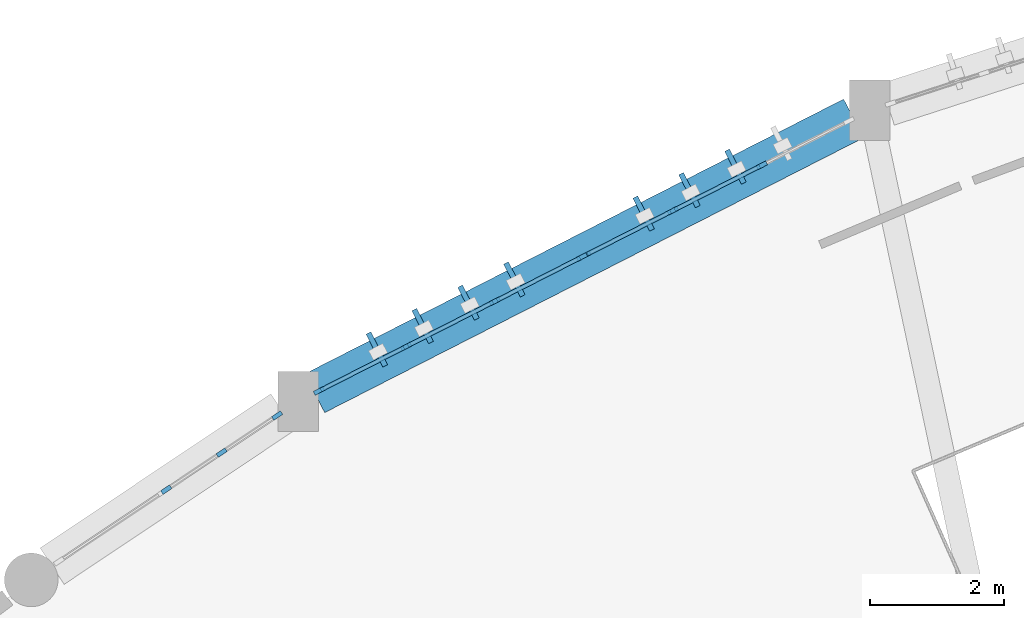
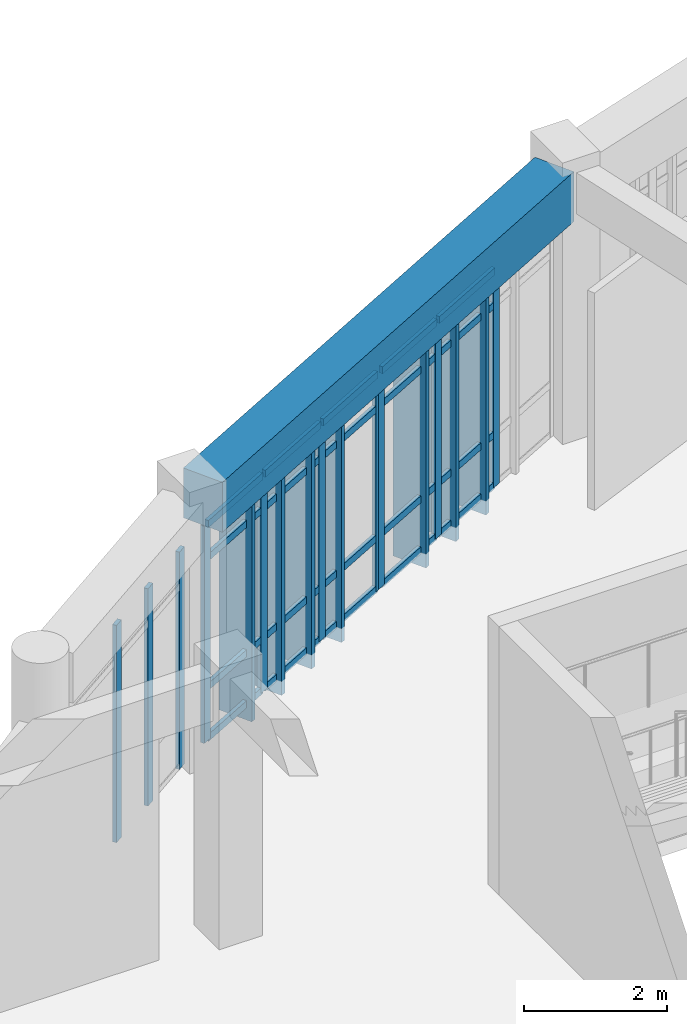
# One storey, part 10 of 65: 37 members, 1 beam, 3 elements without a shape of their own.
"""IFC4 building model written with IfcOpenShell, lengths in metres."""

from ifc_helpers import new_model, si_unit, direction, frame, origin, origin_2d, place, context, subcontext, project, spatial, rectangle, extrude, material, layer, layer_set, material_profile, profile_set, type_object, element, aggregate, save


model = new_model("IFC4")

# Units and contexts
model_context = context("Model", 3, precision=1e-05, world=origin(), true_north=direction((0.0, 1.0)))
body_context = subcontext(model_context, "Body", "Model", "MODEL_VIEW")
ifc_project = project(units=[si_unit("LENGTHUNIT", "METRE"), si_unit("AREAUNIT", "SQUARE_METRE"), si_unit("VOLUMEUNIT", "CUBIC_METRE"), si_unit("PLANEANGLEUNIT", "RADIAN"), si_unit("MASSUNIT", "GRAM", prefix="KILO")], contexts=[model_context])

# Site, building, storey
site_placement = place(None, origin())
site = spatial("IfcSite", under=ifc_project, at=site_placement, CompositionType="ELEMENT")
building_placement = place(site_placement, origin())
building = spatial("IfcBuilding", under=site, at=building_placement, Name="Miralva Faculty of Natural Sciences", CompositionType="ELEMENT")
storey_placement = place(building_placement, frame((0.0, 0.0, 10.199951171875)))
storey = spatial("IfcBuildingStorey", under=building, at=storey_placement, Name="L02", CompositionType="ELEMENT", Elevation=10.199951171875)

# Beam
ifc_material_1 = material(Name="Concrete C40/50", Category="concrete")
ifc_material_profile_1 = material_profile(ifc_material_1, rectangle(XDim=0.64990234375, YDim=0.85009765625, at=origin_2d()), Name="RC 650x850")
ifc_profile_set_1 = profile_set([ifc_material_profile_1], Name="Concrete C40/50")
beam_type = type_object("IfcBeamType", Name="BM-SP03", PredefinedType="SPANDREL", material=ifc_profile_set_1)
beam_placement = place(storey_placement, frame((66.4140625, 35.234619140625, 4.135009765625), z_axis=(-0.890849035396, -0.454299456454, 0.0), x_axis=(0.454299456454, -0.890849035396, 0.0)))
element("IfcBeam", 1, at=beam_placement, inside=storey, type_object=beam_type, Name="Curved chord girder SHOUT L02-8", PredefinedType="SPANDREL", context=body_context, shape_type="SweptSolid", body=[
    extrude(rectangle(XDim=0.64990234375, YDim=0.85009765625, at=origin_2d()), origin(), (0.0, 0.0, 1.0), 9.02294921875),
])

# Curtain wall, members
ifc_material_2 = material(Name="Laminated solar-control glass", Category="glass")
ifc_layer = layer(ifc_material_2, 0.179931640625, Name="CW-ARC-L01")
ifc_layer_set = layer_set([ifc_layer], Name="Laminated solar-control glass")
curtain_wall_type = type_object("IfcCurtainWallType", Name="CW-ARC-L01", PredefinedType="USERDEFINED", material=ifc_layer_set)
curtain_wall_1_placement = place(storey_placement, origin())
curtain_wall_1 = element("IfcCurtainWall", 2, at=curtain_wall_1_placement, inside=storey, type_object=curtain_wall_type, Name="Curtain wall CW-02 L02-78", ObjectType="UNITISED CURTAIN WALL", PredefinedType="USERDEFINED")
ifc_material_3 = material(Name="Anodised aluminium", Category="aluminium")
ifc_material_profile_2 = material_profile(ifc_material_3, rectangle(XDim=0.06494140625, YDim=0.159912109375, at=origin_2d()), Name="MULLION 65x160")
ifc_profile_set_2 = profile_set([ifc_material_profile_2], Name="Anodised aluminium")
member_type_1 = type_object("IfcMemberType", Name="CW-M02", PredefinedType="MULLION", material=ifc_profile_set_2)
member_1_placement = place(storey_placement, frame((56.1591796875, 29.69580078125, 0.0), z_axis=(0.0, 0.0, 1.0), x_axis=(-0.55558704736, 0.831458377074, 0.0)))
member_1 = element("IfcMember", 3, at=member_1_placement, type_object=member_type_1, Name="CW-02 mullion 1", PredefinedType="MULLION", context=body_context, shape_type="SweptSolid", body=[
    extrude(rectangle(XDim=0.06494140625, YDim=0.159912109375, at=origin_2d()), origin(), (0.0, 0.0, 1.0), 3.705078125),
])
member_2_placement = place(storey_placement, frame((56.986328125, 30.24853515625, 0.0), z_axis=(0.0, 0.0, 1.0), x_axis=(-0.55558704736, 0.831458377074, 0.0)))
member_2 = element("IfcMember", 4, at=member_2_placement, type_object=member_type_1, Name="CW-02 mullion 2", PredefinedType="MULLION", context=body_context, shape_type="SweptSolid", body=[
    extrude(rectangle(XDim=0.06494140625, YDim=0.159912109375, at=origin_2d()), origin(), (0.0, 0.0, 1.0), 3.705078125),
])
member_3_placement = place(storey_placement, frame((57.813720703125, 30.80126953125, 0.0), z_axis=(0.0, 0.0, 1.0), x_axis=(-0.55558704736, 0.831458377074, 0.0)))
member_3 = element("IfcMember", 5, at=member_3_placement, type_object=member_type_1, Name="CW-02 mullion 3", PredefinedType="MULLION", context=body_context, shape_type="SweptSolid", body=[
    extrude(rectangle(XDim=0.06494140625, YDim=0.159912109375, at=origin_2d()), origin(), (0.0, 0.0, 1.0), 3.705078125),
])
aggregate(curtain_wall_1, [member_1, member_2, member_3])

curtain_wall_2_placement = place(storey_placement, origin())
curtain_wall_2 = element("IfcCurtainWall", 6, at=curtain_wall_2_placement, inside=storey, type_object=curtain_wall_type, Name="Curtain wall CW-02 L02-79", ObjectType="UNITISED CURTAIN WALL", PredefinedType="USERDEFINED")
member_4_placement = place(storey_placement, frame((58.437255859375, 31.1689453125, 0.0), z_axis=(0.0, 0.0, 1.0), x_axis=(-0.454000162854, 0.89100160052, 0.0)))
member_4 = element("IfcMember", 7, at=member_4_placement, type_object=member_type_1, Name="CW-02 mullion 1", PredefinedType="MULLION", context=body_context, shape_type="SweptSolid", body=[
    extrude(rectangle(XDim=0.06494140625, YDim=0.159912109375, at=origin_2d()), origin(), (0.0, 0.0, 1.0), 3.705078125),
])
member_5_placement = place(storey_placement, frame((59.736083984375, 31.830810546875, 0.0), z_axis=(0.0, 0.0, 1.0), x_axis=(-0.454000162854, 0.89100160052, 0.0)))
member_5 = element("IfcMember", 8, at=member_5_placement, type_object=member_type_1, Name="CW-02 mullion 2", PredefinedType="MULLION", context=body_context, shape_type="SweptSolid", body=[
    extrude(rectangle(XDim=0.06494140625, YDim=0.159912109375, at=origin_2d()), origin(), (0.0, 0.0, 1.0), 3.705078125),
])
member_6_placement = place(storey_placement, frame((61.06396484375, 32.50732421875, 0.0), z_axis=(0.0, 0.0, 1.0), x_axis=(-0.454000162854, 0.89100160052, 0.0)))
member_6 = element("IfcMember", 9, at=member_6_placement, type_object=member_type_1, Name="CW-02 mullion 3", PredefinedType="MULLION", context=body_context, shape_type="SweptSolid", body=[
    extrude(rectangle(XDim=0.06494140625, YDim=0.159912109375, at=origin_2d()), origin(), (0.0, 0.0, 1.0), 3.705078125),
])
member_7_placement = place(storey_placement, frame((62.363037109375, 33.169189453125, 0.0), z_axis=(0.0, 0.0, 1.0), x_axis=(-0.454000162854, 0.89100160052, 0.0)))
member_7 = element("IfcMember", 10, at=member_7_placement, type_object=member_type_1, Name="CW-02 mullion 4", PredefinedType="MULLION", context=body_context, shape_type="SweptSolid", body=[
    extrude(rectangle(XDim=0.06494140625, YDim=0.159912109375, at=origin_2d()), origin(), (0.0, 0.0, 1.0), 3.705078125),
])

curtain_wall_3_placement = place(storey_placement, origin())
curtain_wall_3 = element("IfcCurtainWall", 11, at=curtain_wall_3_placement, inside=storey, type_object=curtain_wall_type, Name="Curtain wall CW-02 L02-80", ObjectType="UNITISED CURTAIN WALL", PredefinedType="USERDEFINED")
member_8_placement = place(storey_placement, frame((62.416259765625, 33.1962890625, 0.0), z_axis=(0.0, 0.0, 1.0), x_axis=(-0.453974643591, 0.891014603122, 0.0)))
member_8 = element("IfcMember", 12, at=member_8_placement, type_object=member_type_1, Name="CW-02 mullion 1", PredefinedType="MULLION", context=body_context, shape_type="SweptSolid", body=[
    extrude(rectangle(XDim=0.06494140625, YDim=0.159912109375, at=origin_2d()), origin(), (0.0, 0.0, 1.0), 3.705078125),
])
member_9_placement = place(storey_placement, frame((63.716796875, 33.85888671875, 0.0), z_axis=(0.0, 0.0, 1.0), x_axis=(-0.453974643591, 0.891014603122, 0.0)))
member_9 = element("IfcMember", 13, at=member_9_placement, type_object=member_type_1, Name="CW-02 mullion 2", PredefinedType="MULLION", context=body_context, shape_type="SweptSolid", body=[
    extrude(rectangle(XDim=0.06494140625, YDim=0.159912109375, at=origin_2d()), origin(), (0.0, 0.0, 1.0), 3.705078125),
])
member_10_placement = place(storey_placement, frame((65.046142578125, 34.536376953125, 0.0), z_axis=(0.0, 0.0, 1.0), x_axis=(-0.453974643591, 0.891014603122, 0.0)))
member_10 = element("IfcMember", 14, at=member_10_placement, type_object=member_type_1, Name="CW-02 mullion 3", PredefinedType="MULLION", context=body_context, shape_type="SweptSolid", body=[
    extrude(rectangle(XDim=0.06494140625, YDim=0.159912109375, at=origin_2d()), origin(), (0.0, 0.0, 1.0), 3.705078125),
])

# Member
ifc_material_profile_3 = material_profile(ifc_material_3, rectangle(XDim=0.06005859375, YDim=0.1201171875, at=origin_2d()), Name="TRANSOM 60x120")
ifc_profile_set_3 = profile_set([ifc_material_profile_3], Name="Anodised aluminium")
member_type_2 = type_object("IfcMemberType", Name="CW-T02", PredefinedType="USERDEFINED", material=ifc_profile_set_3)
member_11_placement = place(storey_placement, frame((58.46630859375, 31.18359375, 0.030029296875), z_axis=(0.891000699846, 0.454001930474, 0.0), x_axis=(-0.454001930474, 0.891000699846, 0.0)))
member_11 = element("IfcMember", 15, at=member_11_placement, type_object=member_type_2, Name="CW-02 transom 1.1", ObjectType="TRANSOM", PredefinedType="USERDEFINED", context=body_context, shape_type="SweptSolid", body=[
    extrude(rectangle(XDim=0.06005859375, YDim=0.1201171875, at=origin_2d()), origin(), (0.0, 0.0, 1.0), 1.392822265625),
])

member_12_placement = place(storey_placement, frame((58.46630859375, 31.18359375, 0.900146484375), z_axis=(0.891000699846, 0.454001930474, 0.0), x_axis=(-0.454001930474, 0.891000699846, 0.0)))
member_12 = element("IfcMember", 16, at=member_12_placement, type_object=member_type_2, Name="CW-02 transom 1.2", ObjectType="TRANSOM", PredefinedType="USERDEFINED", context=body_context, shape_type="SweptSolid", body=[
    extrude(rectangle(XDim=0.06005859375, YDim=0.1201171875, at=origin_2d()), origin(), (0.0, 0.0, 1.0), 1.392822265625),
])

member_13_placement = place(storey_placement, frame((58.46630859375, 31.18359375, 3.10498046875), z_axis=(0.891000699846, 0.454001930474, 0.0), x_axis=(-0.454001930474, 0.891000699846, 0.0)))
member_13 = element("IfcMember", 17, at=member_13_placement, type_object=member_type_2, Name="CW-02 transom 1.3", ObjectType="TRANSOM", PredefinedType="USERDEFINED", context=body_context, shape_type="SweptSolid", body=[
    extrude(rectangle(XDim=0.06005859375, YDim=0.1201171875, at=origin_2d()), origin(), (0.0, 0.0, 1.0), 1.392822265625),
])

member_14_placement = place(storey_placement, frame((58.46630859375, 31.18359375, 3.675048828125), z_axis=(0.891000699846, 0.454001930474, 0.0), x_axis=(-0.454001930474, 0.891000699846, 0.0)))
member_14 = element("IfcMember", 18, at=member_14_placement, type_object=member_type_2, Name="CW-02 transom 1.4", ObjectType="TRANSOM", PredefinedType="USERDEFINED", context=body_context, shape_type="SweptSolid", body=[
    extrude(rectangle(XDim=0.06005859375, YDim=0.1201171875, at=origin_2d()), origin(), (0.0, 0.0, 1.0), 1.392822265625),
])

member_15_placement = place(storey_placement, frame((59.76513671875, 31.845458984375, 0.030029296875), z_axis=(0.891044725517, 0.453915517612, 0.0), x_axis=(-0.453915517612, 0.891044725517, 0.0)))
member_15 = element("IfcMember", 19, at=member_15_placement, type_object=member_type_2, Name="CW-02 transom 2.1", ObjectType="TRANSOM", PredefinedType="USERDEFINED", context=body_context, shape_type="SweptSolid", body=[
    extrude(rectangle(XDim=0.06005859375, YDim=0.1201171875, at=origin_2d()), origin(), (0.0, 0.0, 1.0), 1.42529296875),
])

member_16_placement = place(storey_placement, frame((59.76513671875, 31.845458984375, 0.900146484375), z_axis=(0.891044725517, 0.453915517612, 0.0), x_axis=(-0.453915517612, 0.891044725517, 0.0)))
member_16 = element("IfcMember", 20, at=member_16_placement, type_object=member_type_2, Name="CW-02 transom 2.2", ObjectType="TRANSOM", PredefinedType="USERDEFINED", context=body_context, shape_type="SweptSolid", body=[
    extrude(rectangle(XDim=0.06005859375, YDim=0.1201171875, at=origin_2d()), origin(), (0.0, 0.0, 1.0), 1.42529296875),
])

member_17_placement = place(storey_placement, frame((59.76513671875, 31.845458984375, 3.10498046875), z_axis=(0.891044725517, 0.453915517612, 0.0), x_axis=(-0.453915517612, 0.891044725517, 0.0)))
member_17 = element("IfcMember", 21, at=member_17_placement, type_object=member_type_2, Name="CW-02 transom 2.3", ObjectType="TRANSOM", PredefinedType="USERDEFINED", context=body_context, shape_type="SweptSolid", body=[
    extrude(rectangle(XDim=0.06005859375, YDim=0.1201171875, at=origin_2d()), origin(), (0.0, 0.0, 1.0), 1.42529296875),
])

member_18_placement = place(storey_placement, frame((59.76513671875, 31.845458984375, 3.675048828125), z_axis=(0.891044725517, 0.453915517612, 0.0), x_axis=(-0.453915517612, 0.891044725517, 0.0)))
member_18 = element("IfcMember", 22, at=member_18_placement, type_object=member_type_2, Name="CW-02 transom 2.4", ObjectType="TRANSOM", PredefinedType="USERDEFINED", context=body_context, shape_type="SweptSolid", body=[
    extrude(rectangle(XDim=0.06005859375, YDim=0.1201171875, at=origin_2d()), origin(), (0.0, 0.0, 1.0), 1.42529296875),
])

member_19_placement = place(storey_placement, frame((61.093017578125, 32.52197265625, 0.030029296875), z_axis=(0.891000699846, 0.454001930474, 0.0), x_axis=(-0.454001930474, 0.891000699846, 0.0)))
member_19 = element("IfcMember", 23, at=member_19_placement, type_object=member_type_2, Name="CW-02 transom 3.1", ObjectType="TRANSOM", PredefinedType="USERDEFINED", context=body_context, shape_type="SweptSolid", body=[
    extrude(rectangle(XDim=0.06005859375, YDim=0.1201171875, at=origin_2d()), origin(), (0.0, 0.0, 1.0), 1.392822265625),
])

member_20_placement = place(storey_placement, frame((61.093017578125, 32.52197265625, 0.900146484375), z_axis=(0.891000699846, 0.454001930474, 0.0), x_axis=(-0.454001930474, 0.891000699846, 0.0)))
member_20 = element("IfcMember", 24, at=member_20_placement, type_object=member_type_2, Name="CW-02 transom 3.2", ObjectType="TRANSOM", PredefinedType="USERDEFINED", context=body_context, shape_type="SweptSolid", body=[
    extrude(rectangle(XDim=0.06005859375, YDim=0.1201171875, at=origin_2d()), origin(), (0.0, 0.0, 1.0), 1.392822265625),
])

member_21_placement = place(storey_placement, frame((61.093017578125, 32.52197265625, 3.10498046875), z_axis=(0.891000699846, 0.454001930474, 0.0), x_axis=(-0.454001930474, 0.891000699846, 0.0)))
member_21 = element("IfcMember", 25, at=member_21_placement, type_object=member_type_2, Name="CW-02 transom 3.3", ObjectType="TRANSOM", PredefinedType="USERDEFINED", context=body_context, shape_type="SweptSolid", body=[
    extrude(rectangle(XDim=0.06005859375, YDim=0.1201171875, at=origin_2d()), origin(), (0.0, 0.0, 1.0), 1.392822265625),
])

member_22_placement = place(storey_placement, frame((61.093017578125, 32.52197265625, 3.675048828125), z_axis=(0.891000699846, 0.454001930474, 0.0), x_axis=(-0.454001930474, 0.891000699846, 0.0)))
member_22 = element("IfcMember", 26, at=member_22_placement, type_object=member_type_2, Name="CW-02 transom 3.4", ObjectType="TRANSOM", PredefinedType="USERDEFINED", context=body_context, shape_type="SweptSolid", body=[
    extrude(rectangle(XDim=0.06005859375, YDim=0.1201171875, at=origin_2d()), origin(), (0.0, 0.0, 1.0), 1.392822265625),
])

aggregate(curtain_wall_2, [member_4, member_5, member_6, member_7, member_11, member_12, member_13, member_14, member_15, member_16, member_17, member_18, member_19, member_20, member_21, member_22])

member_23_placement = place(storey_placement, frame((62.4453125, 33.211181640625, 0.030029296875), z_axis=(0.891004754487, 0.453993972958, 0.0), x_axis=(-0.453993972958, 0.891004754487, 0.0)))
member_23 = element("IfcMember", 27, at=member_23_placement, type_object=member_type_2, Name="CW-02 transom 1.1", ObjectType="TRANSOM", PredefinedType="USERDEFINED", context=body_context, shape_type="SweptSolid", body=[
    extrude(rectangle(XDim=0.06005859375, YDim=0.1201171875, at=origin_2d()), origin(), (0.0, 0.0, 1.0), 1.39453125),
])

member_24_placement = place(storey_placement, frame((62.4453125, 33.211181640625, 0.900146484375), z_axis=(0.891004754487, 0.453993972958, 0.0), x_axis=(-0.453993972958, 0.891004754487, 0.0)))
member_24 = element("IfcMember", 28, at=member_24_placement, type_object=member_type_2, Name="CW-02 transom 1.2", ObjectType="TRANSOM", PredefinedType="USERDEFINED", context=body_context, shape_type="SweptSolid", body=[
    extrude(rectangle(XDim=0.06005859375, YDim=0.1201171875, at=origin_2d()), origin(), (0.0, 0.0, 1.0), 1.39453125),
])

member_25_placement = place(storey_placement, frame((62.4453125, 33.211181640625, 3.10498046875), z_axis=(0.891004754487, 0.453993972958, 0.0), x_axis=(-0.453993972958, 0.891004754487, 0.0)))
member_25 = element("IfcMember", 29, at=member_25_placement, type_object=member_type_2, Name="CW-02 transom 1.3", ObjectType="TRANSOM", PredefinedType="USERDEFINED", context=body_context, shape_type="SweptSolid", body=[
    extrude(rectangle(XDim=0.06005859375, YDim=0.1201171875, at=origin_2d()), origin(), (0.0, 0.0, 1.0), 1.39453125),
])

member_26_placement = place(storey_placement, frame((62.4453125, 33.211181640625, 3.675048828125), z_axis=(0.891004754487, 0.453993972958, 0.0), x_axis=(-0.453993972958, 0.891004754487, 0.0)))
member_26 = element("IfcMember", 30, at=member_26_placement, type_object=member_type_2, Name="CW-02 transom 1.4", ObjectType="TRANSOM", PredefinedType="USERDEFINED", context=body_context, shape_type="SweptSolid", body=[
    extrude(rectangle(XDim=0.06005859375, YDim=0.1201171875, at=origin_2d()), origin(), (0.0, 0.0, 1.0), 1.39453125),
])

member_27_placement = place(storey_placement, frame((63.745849609375, 33.873779296875, 0.030029296875), z_axis=(0.891048636431, 0.453907840332, 0.0), x_axis=(-0.453907840332, 0.891048636431, 0.0)))
member_27 = element("IfcMember", 31, at=member_27_placement, type_object=member_type_2, Name="CW-02 transom 2.1", ObjectType="TRANSOM", PredefinedType="USERDEFINED", context=body_context, shape_type="SweptSolid", body=[
    extrude(rectangle(XDim=0.06005859375, YDim=0.1201171875, at=origin_2d()), origin(), (0.0, 0.0, 1.0), 1.427001953125),
])

member_28_placement = place(storey_placement, frame((63.745849609375, 33.873779296875, 0.900146484375), z_axis=(0.891048636431, 0.453907840332, 0.0), x_axis=(-0.453907840332, 0.891048636431, 0.0)))
member_28 = element("IfcMember", 32, at=member_28_placement, type_object=member_type_2, Name="CW-02 transom 2.2", ObjectType="TRANSOM", PredefinedType="USERDEFINED", context=body_context, shape_type="SweptSolid", body=[
    extrude(rectangle(XDim=0.06005859375, YDim=0.1201171875, at=origin_2d()), origin(), (0.0, 0.0, 1.0), 1.427001953125),
])

member_29_placement = place(storey_placement, frame((63.745849609375, 33.873779296875, 3.10498046875), z_axis=(0.891048636431, 0.453907840332, 0.0), x_axis=(-0.453907840332, 0.891048636431, 0.0)))
member_29 = element("IfcMember", 33, at=member_29_placement, type_object=member_type_2, Name="CW-02 transom 2.3", ObjectType="TRANSOM", PredefinedType="USERDEFINED", context=body_context, shape_type="SweptSolid", body=[
    extrude(rectangle(XDim=0.06005859375, YDim=0.1201171875, at=origin_2d()), origin(), (0.0, 0.0, 1.0), 1.427001953125),
])

member_30_placement = place(storey_placement, frame((63.745849609375, 33.873779296875, 3.675048828125), z_axis=(0.891048636431, 0.453907840332, 0.0), x_axis=(-0.453907840332, 0.891048636431, 0.0)))
member_30 = element("IfcMember", 34, at=member_30_placement, type_object=member_type_2, Name="CW-02 transom 2.4", ObjectType="TRANSOM", PredefinedType="USERDEFINED", context=body_context, shape_type="SweptSolid", body=[
    extrude(rectangle(XDim=0.06005859375, YDim=0.1201171875, at=origin_2d()), origin(), (0.0, 0.0, 1.0), 1.427001953125),
])

aggregate(curtain_wall_3, [member_8, member_9, member_10, member_23, member_24, member_25, member_26, member_27, member_28, member_29, member_30])

# Members
ifc_material_profile_4 = material_profile(ifc_material_3, rectangle(XDim=0.080078125, YDim=0.550048828125, at=origin_2d()), Name="FIN 550x80")
ifc_profile_set_4 = profile_set([ifc_material_profile_4], Name="Anodised aluminium")
member_type_3 = type_object("IfcMemberType", Name="MEM-SF01", PredefinedType="USERDEFINED", material=ifc_profile_set_4)
for number, where, z_axis, x_axis, name in (
    (35, (59.301513671875, 31.788818359375, -0.239990234375), (0.0, 0.0, 1.0), (-0.891006524188, -0.45399049974, 0.0), "Solar shading fin SF-01 L02-37"),
    (36, (59.9853515625, 32.13720703125, -0.239990234375), (0.0, 0.0, 1.0), (-0.891006524188, -0.45399049974, 0.0), "Solar shading fin SF-01 L02-38"),
    (37, (60.66943359375, 32.48583984375, -0.239990234375), (0.0, 0.0, 1.0), (-0.891006524188, -0.45399049974, 0.0), "Solar shading fin SF-01 L02-39"),
    (38, (61.353515625, 32.83447265625, -0.239990234375), (0.0, 0.0, 1.0), (-0.891006524188, -0.45399049974, 0.0), "Solar shading fin SF-01 L02-40"),
    (39, (63.281005859375, 33.81640625, -0.239990234375), (0.0, 0.0, 1.0), (-0.891006524188, -0.45399049974, 0.0), "Solar shading fin SF-01 L02-41"),
    (40, (63.96630859375, 34.16552734375, -0.239990234375), (0.0, 0.0, 1.0), (-0.891006524188, -0.45399049974, 0.0), "Solar shading fin SF-01 L02-42"),
    (41, (64.651611328125, 34.5146484375, -0.239990234375), (0.0, 0.0, 1.0), (-0.891006524188, -0.45399049974, 0.0), "Solar shading fin SF-01 L02-43"),
):
    element("IfcMember", number, at=place(storey_placement, frame(where, z_axis=z_axis, x_axis=x_axis)), inside=storey, type_object=member_type_3, Name=name, ObjectType="SUNSHADE", PredefinedType="USERDEFINED", context=body_context, shape_type="SweptSolid", body=[
        extrude(rectangle(XDim=0.080078125, YDim=0.550048828125, at=origin_2d()), origin(), (0.0, 0.0, 1.0), 3.945068359375),
    ])

save(model, "model.ifc")
